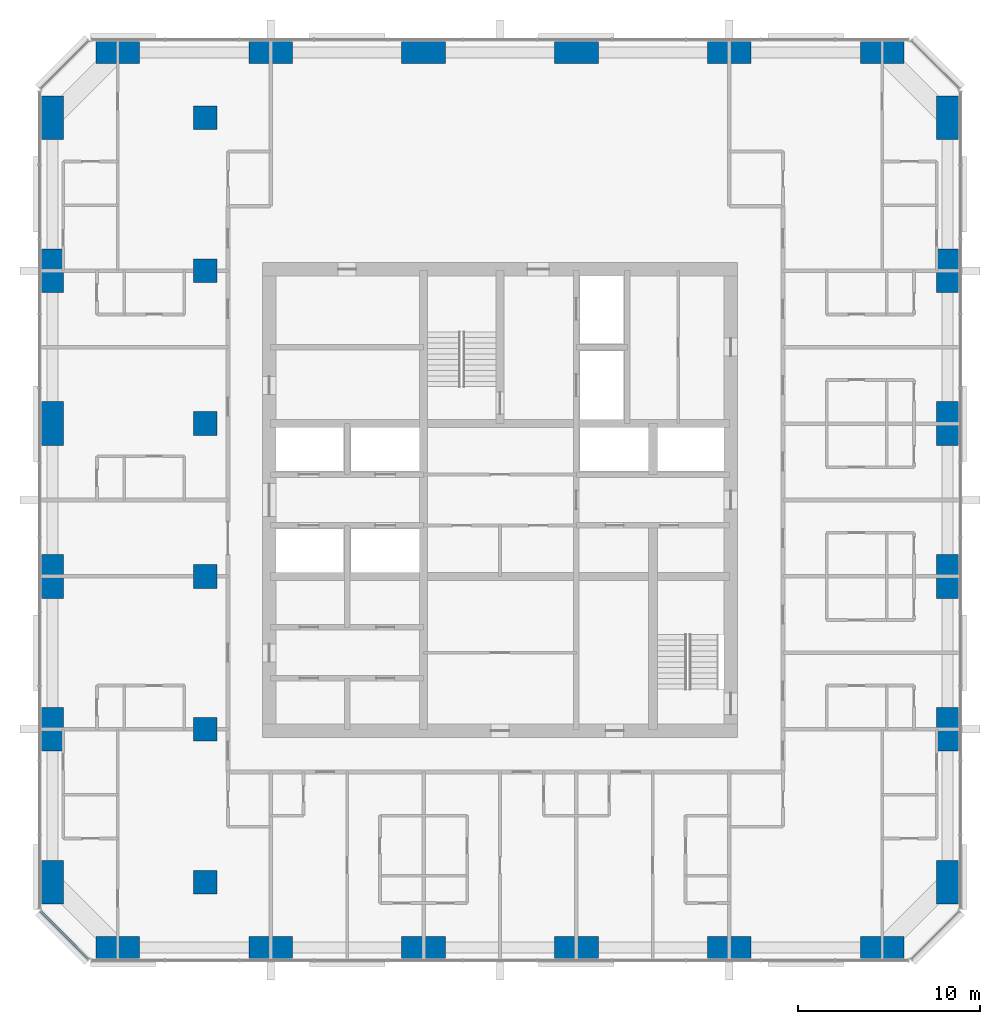
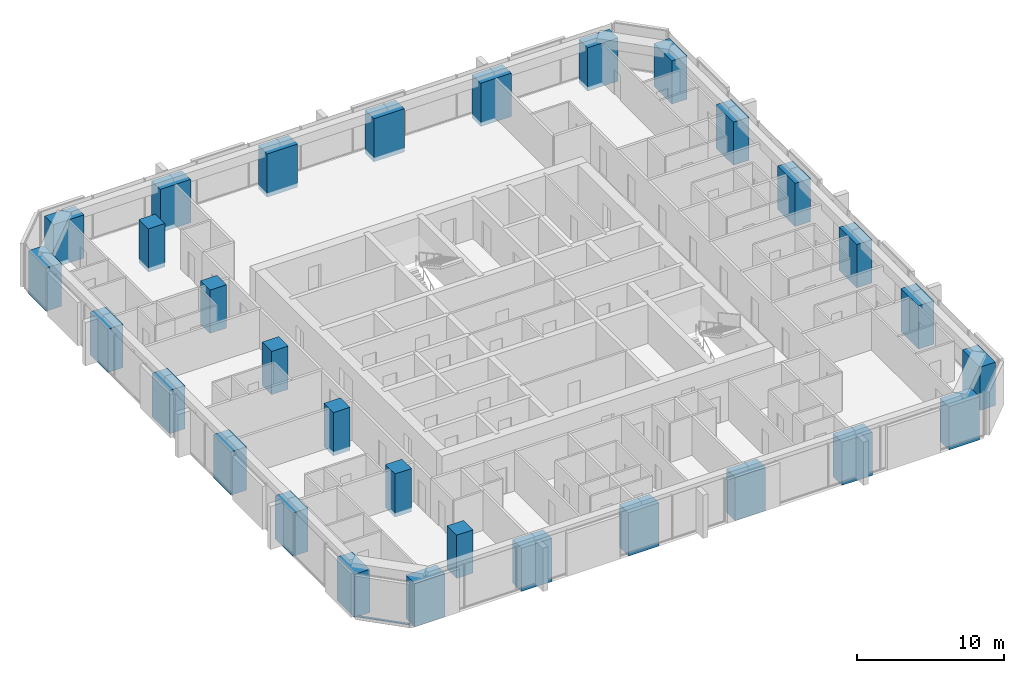
# One storey, part 1 of 14: 30 columns, 1 member, 1 element without a shape of its own.
"""IFC4 building model written with IfcOpenShell, lengths in metres."""

import ifcopenshell
import ifcopenshell.guid

model = None  # the IFC model being written
_history = None  # IfcOwnerHistory: only IFC2X3 demands one
_inside = {}  # id of a spatial element -> (the spatial element, [elements in it])
_under = {}  # id of a project, library or spatial element -> (it, [spatial elements below it])
_declared = {}  # id of a project -> (the project, [libraries it declares])
_typed = {}  # id of a type object -> (the type object, [elements of that type])
_made_of = {}  # id of a material, layer set ... -> (it, [elements and type objects made of it])


def new_model(schema):
    """Start an empty IFC model of exactly this schema.

    Asked for "IFC4X3", IfcOpenShell would pick the latest addendum, in which some entities
    have other attributes; the version numbers below select the first issue.
    IFC2X3 requires an IfcOwnerHistory on every rooted entity: one is made here for all.
    """
    global model, _history
    if schema == "IFC4X3":
        model = ifcopenshell.file(schema_version=(4, 3, 0, 0))
    else:
        model = ifcopenshell.file(schema=schema)
    _inside.clear()
    _under.clear()
    _declared.clear()
    _typed.clear()
    _made_of.clear()
    _history = None
    if model.schema == "IFC2X3":
        org = make("IfcOrganization", Name="unknown")
        user = make(
            "IfcPersonAndOrganization",
            ThePerson=make("IfcPerson", FamilyName="unknown"),
            TheOrganization=org,
        )
        app = make(
            "IfcApplication",
            ApplicationDeveloper=org,
            Version="unknown",
            ApplicationFullName="unknown",
            ApplicationIdentifier="unknown",
        )
        _history = make(
            "IfcOwnerHistory",
            OwningUser=user,
            OwningApplication=app,
            ChangeAction="ADDED",
            CreationDate=0,
        )
    return model


def make(cls, **values):
    """One entity of the class cls with the attributes given. An attribute that is None is left unset."""
    return model.create_entity(
        cls, **{name: value for name, value in values.items() if value is not None}
    )


def rooted(cls, **values):
    """An entity with a GlobalId (a new one), such as an element, a storey or a relation."""
    return make(cls, GlobalId=ifcopenshell.guid.new(), OwnerHistory=_history, **values)


def si_unit(unit_type, name, prefix=None):
    """IfcSIUnit, for example si_unit("LENGTHUNIT", "METRE", prefix="MILLI")."""
    return make("IfcSIUnit", UnitType=unit_type, Prefix=prefix, Name=name)


def assignment(units):
    """IfcUnitAssignment: the units of a project."""
    return None if units is None else make("IfcUnitAssignment", Units=units)


def point(xyz):
    """IfcCartesianPoint."""
    return None if xyz is None else make("IfcCartesianPoint", Coordinates=xyz)


def direction(xyz):
    """IfcDirection."""
    return None if xyz is None else make("IfcDirection", DirectionRatios=xyz)


def frame(location, z_axis=None, x_axis=None):
    """IfcAxis2Placement3D, a coordinate frame: its origin and axes. An axis left out is left unset."""
    return make(
        "IfcAxis2Placement3D",
        Location=point(location),
        Axis=direction(z_axis),
        RefDirection=direction(x_axis),
    )


def frame_2d(location, x_axis=None):
    """IfcAxis2Placement2D, a coordinate frame in the plane: its origin and x axis."""
    return make(
        "IfcAxis2Placement2D", Location=point(location), RefDirection=direction(x_axis)
    )


def origin():
    """The frame at (0, 0, 0) with its axes left unset."""
    return frame((0.0, 0.0, 0.0))


def origin_2d():
    """The frame at (0, 0) in the plane with its x axis left unset."""
    return frame_2d((0.0, 0.0))


def place(relative_to, where):
    """IfcLocalPlacement: puts the frame where relative to a parent placement (None: the world)."""
    return make(
        "IfcLocalPlacement", PlacementRelTo=relative_to, RelativePlacement=where
    )


def context(
    kind, dimensions, precision=None, world=None, true_north=None, identifier=None
):
    """IfcGeometricRepresentationContext, for example the 3D "Model" context."""
    return make(
        "IfcGeometricRepresentationContext",
        ContextIdentifier=identifier,
        ContextType=kind,
        CoordinateSpaceDimension=dimensions,
        Precision=precision,
        WorldCoordinateSystem=world,
        TrueNorth=true_north,
    )


def subcontext(parent, identifier, kind, view, scale=None):
    """IfcGeometricRepresentationSubContext, for example "Body" below "Model"."""
    return make(
        "IfcGeometricRepresentationSubContext",
        ContextIdentifier=identifier,
        ContextType=kind,
        ParentContext=parent,
        TargetScale=scale,
        TargetView=view,
    )


def project(units=None, contexts=None):
    """IfcProject with its units and contexts."""
    return rooted(
        "IfcProject",
        Name="project",
        RepresentationContexts=contexts,
        UnitsInContext=assignment(units),
    )


def spatial(cls, under=None, at=None, **own):
    """A site, building, storey or space (cls), placed at a placement, below another one or the project."""
    s = rooted(cls, ObjectPlacement=at, **own)
    if under is not None:
        _under.setdefault(under.id(), (under, []))[1].append(s)
    return s


def profile(cls, at=None, kind="AREA", **sizes):
    """A parametric profile (cls). Its sizes go by their IFC names, for example OverallWidth=200.0."""
    return make(cls, ProfileType=kind, Position=at, **sizes)


def rectangle(**sizes):
    """IfcRectangleProfileDef."""
    return profile("IfcRectangleProfileDef", **sizes)


def extrude(swept, where, along, depth):
    """IfcExtrudedAreaSolid: the profile swept, set in the frame where, extruded along a direction by depth."""
    return make(
        "IfcExtrudedAreaSolid",
        SweptArea=swept,
        Position=where,
        ExtrudedDirection=direction(along),
        Depth=depth,
    )


def shape(context_of_items, identifier, shape_type, items):
    """IfcShapeRepresentation: the items that make up one representation, for example the "Body"."""
    return make(
        "IfcShapeRepresentation",
        ContextOfItems=context_of_items,
        RepresentationIdentifier=identifier,
        RepresentationType=shape_type,
        Items=items,
    )


def material(Name=None, Category=None):
    """IfcMaterial."""
    return make("IfcMaterial", Name=Name, Category=Category)


def material_profile(
    of_material, cross_section, Name=None, Category=None, Priority=None
):
    """IfcMaterialProfile: a cross section and its material."""
    return make(
        "IfcMaterialProfile",
        Name=Name,
        Material=of_material,
        Profile=cross_section,
        Priority=Priority,
        Category=Category,
    )


def profile_set(profiles, Name=None, composite=None):
    """IfcMaterialProfileSet."""
    return make(
        "IfcMaterialProfileSet",
        Name=Name,
        MaterialProfiles=profiles,
        CompositeProfile=composite,
    )


def made_of(thing, what):
    """Note that an element or type object is made of a material, layer set ...; save() writes the relation."""
    if what is not None:
        _made_of.setdefault(what.id(), (what, []))[1].append(thing)
    return thing


def type_object(cls, material=None, **own):
    """A type object (cls), such as IfcWallType, which elements share."""
    return made_of(rooted(cls, **own), material)


def element(
    cls,
    number,
    at=None,
    inside=None,
    cuts=None,
    type_object=None,
    material=None,
    context=None,
    identifier="Body",
    shape_type=None,
    held_by="IfcProductDefinitionShape",
    body=None,
    shapes=None,
    **own,
):
    """One element of the class cls, such as IfcWall. Its Tag is "e" and its number.

    at: its placement. inside: the storey or other place that contains it. cuts: it is an
    opening in that element (IfcRelVoidsElement). A single representation is given by context,
    identifier, shape_type and body (its items); several are given by shapes. held_by: the class
    of the entity that holds the representations. save() writes the other relations.
    """
    e = rooted(cls, Tag="e%d" % number, ObjectPlacement=at, **own)
    if body is not None:
        shapes = [shape(context, identifier, shape_type, body)]
    if shapes is not None:
        e.Representation = make(held_by, Representations=shapes)
    if inside is not None:
        _inside.setdefault(inside.id(), (inside, []))[1].append(e)
    if cuts is not None:
        rooted(
            "IfcRelVoidsElement", RelatingBuildingElement=cuts, RelatedOpeningElement=e
        )
    if type_object is not None:
        _typed.setdefault(type_object.id(), (type_object, []))[1].append(e)
    return made_of(e, material)


def aggregate(whole, parts):
    """IfcRelAggregates: a whole, such as a stair, and the parts it consists of."""
    return rooted("IfcRelAggregates", RelatingObject=whole, RelatedObjects=parts)


def save(model, path):
    """Write the relations noted so far, then the file.

    IfcRelAggregates (storeys below a building ...), IfcRelContainedInSpatialStructure (elements
    in a storey), IfcRelDefinesByType, IfcRelAssociatesMaterial and IfcRelDeclares: one each for
    every whole, place, type object, material and project.
    """
    for whole, parts in _under.values():
        aggregate(whole, parts)
    for where, things in _inside.values():
        rooted(
            "IfcRelContainedInSpatialStructure",
            RelatedElements=things,
            RelatingStructure=where,
        )
    for kind, things in _typed.values():
        rooted("IfcRelDefinesByType", RelatedObjects=things, RelatingType=kind)
    for what, things in _made_of.values():
        rooted("IfcRelAssociatesMaterial", RelatedObjects=things, RelatingMaterial=what)
    for by, libraries in _declared.values():
        rooted("IfcRelDeclares", RelatingContext=by, RelatedDefinitions=libraries)
    model.write(path)


model = new_model("IFC4")

# Units and contexts
model_context = context("Model", 3, precision=1e-05, world=origin(), true_north=direction((0.0, 1.0)))
body_context = subcontext(model_context, "Body", "Model", "MODEL_VIEW")
ifc_project = project(units=[si_unit("LENGTHUNIT", "METRE"), si_unit("AREAUNIT", "SQUARE_METRE"), si_unit("VOLUMEUNIT", "CUBIC_METRE"), si_unit("PLANEANGLEUNIT", "RADIAN"), si_unit("MASSUNIT", "GRAM", prefix="KILO")], contexts=[model_context])

# Site, building, storey
site_placement = place(None, origin())
site = spatial("IfcSite", under=ifc_project, at=site_placement, CompositionType="ELEMENT")
building_placement = place(site_placement, origin())
building = spatial("IfcBuilding", under=site, at=building_placement, Name="Dunama Terrace Hotel", CompositionType="ELEMENT")
storey_placement = place(building_placement, frame((0.0, 0.0, 177.0)))
storey = spatial("IfcBuildingStorey", under=building, at=storey_placement, Name="L45", CompositionType="ELEMENT", Elevation=177.0)

# Columns
ifc_material_1 = material(Name="Concrete C60/75", Category="concrete")
ifc_material_profile_1 = material_profile(ifc_material_1, rectangle(XDim=1.199951171875, YDim=2.39990234375, at=origin_2d()), Name="RC 1200x2400")
ifc_profile_set_1 = profile_set([ifc_material_profile_1], Name="Concrete C60/75")
column_type_1 = type_object("IfcColumnType", Name="Column RC 1200x2400", PredefinedType="COLUMN", material=ifc_profile_set_1)
for number, where, z_axis, x_axis, name in (
    (1, (4.800048828125, 8.39990234375, -0.35009765625), (0.0, 0.0, 1.0), (1.0, 0.0, 0.0), "Column L45 +4.8/+8.4"),
    (2, (4.800048828125, 16.800048828125, -0.35009765625), (0.0, 0.0, 1.0), (1.0, 0.0, 0.0), "Column L45 +4.8/+16.8"),
    (3, (4.800048828125, 25.199951171875, -0.35009765625), (0.0, 0.0, 1.0), (1.0, 0.0, 0.0), "Column L45 +4.8/+25.2"),
    (4, (4.800048828125, 33.60009765625, -0.35009765625), (0.0, 0.0, 1.0), (1.0, 0.0, 0.0), "Column L45 +4.8/+33.6"),
    (5, (4.800048828125, 42.0, -0.35009765625), (0.0, 0.0, 1.0), (1.0, 0.0, 0.0), "Column L45 +4.8/+42.0"),
    (6, (4.800048828125, 50.39990234375, -0.35009765625), (0.0, 0.0, 1.0), (1.0, 0.0, 0.0), "Column L45 +4.8/+50.4"),
    (7, (54.0, 8.39990234375, -0.35009765625), (0.0, 0.0, 1.0), (1.0, 0.0, 0.0), "Column L45 +54.0/+8.4"),
    (8, (54.0, 16.800048828125, -0.35009765625), (0.0, 0.0, 1.0), (1.0, 0.0, 0.0), "Column L45 +54.0/+16.8"),
    (9, (54.0, 25.199951171875, -0.35009765625), (0.0, 0.0, 1.0), (1.0, 0.0, 0.0), "Column L45 +54.0/+25.2"),
    (10, (54.0, 33.60009765625, -0.35009765625), (0.0, 0.0, 1.0), (1.0, 0.0, 0.0), "Column L45 +54.0/+33.6"),
    (11, (54.0, 42.0, -0.35009765625), (0.0, 0.0, 1.0), (1.0, 0.0, 0.0), "Column L45 +54.0/+42.0"),
    (12, (54.0, 50.39990234375, -0.35009765625), (0.0, 0.0, 1.0), (1.0, 0.0, 0.0), "Column L45 +54.0/+50.4"),
):
    element("IfcColumn", number, at=place(storey_placement, frame(where, z_axis=z_axis, x_axis=x_axis)), inside=storey, type_object=column_type_1, Name=name, PredefinedType="COLUMN", context=body_context, shape_type="SweptSolid", body=[
        extrude(rectangle(XDim=1.199951171875, YDim=2.39990234375, at=origin_2d()), origin(), (0.0, 0.0, 1.0), 3.60009765625),
    ])
ifc_material_2 = material(Name="Concrete C60/75", Category="concrete")
ifc_material_profile_2 = material_profile(ifc_material_2, rectangle(XDim=1.300048828125, YDim=1.300048828125, at=origin_2d()), Name="RC 1300x1300")
ifc_profile_set_2 = profile_set([ifc_material_profile_2], Name="Concrete C60/75")
column_type_2 = type_object("IfcColumnType", Name="Column RC 1300x1300", PredefinedType="COLUMN", material=ifc_profile_set_2)
for number, where, z_axis, x_axis, name in (
    (13, (13.199951171875, 8.39990234375, -0.35009765625), (0.0, 0.0, 1.0), (1.0, 0.0, 0.0), "Column L45 +13.2/+8.4"),
    (14, (13.199951171875, 16.800048828125, -0.35009765625), (0.0, 0.0, 1.0), (1.0, 0.0, 0.0), "Column L45 +13.2/+16.8"),
    (15, (13.199951171875, 25.199951171875, -0.35009765625), (0.0, 0.0, 1.0), (1.0, 0.0, 0.0), "Column L45 +13.2/+25.2"),
    (16, (13.199951171875, 33.60009765625, -0.35009765625), (0.0, 0.0, 1.0), (1.0, 0.0, 0.0), "Column L45 +13.2/+33.6"),
    (17, (13.199951171875, 42.0, -0.35009765625), (0.0, 0.0, 1.0), (1.0, 0.0, 0.0), "Column L45 +13.2/+42.0"),
    (18, (13.199951171875, 50.39990234375, -0.35009765625), (0.0, 0.0, 1.0), (1.0, 0.0, 0.0), "Column L45 +13.2/+50.4"),
):
    element("IfcColumn", number, at=place(storey_placement, frame(where, z_axis=z_axis, x_axis=x_axis)), inside=storey, type_object=column_type_2, Name=name, PredefinedType="COLUMN", context=body_context, shape_type="SweptSolid", body=[
        extrude(rectangle(XDim=1.300048828125, YDim=1.300048828125, at=origin_2d()), origin(), (0.0, 0.0, 1.0), 3.60009765625),
    ])
ifc_material_3 = material(Name="Concrete C60/75", Category="concrete")
ifc_material_profile_3 = material_profile(ifc_material_3, rectangle(XDim=2.39990234375, YDim=1.199951171875, at=origin_2d()), Name="RC 2400x1200")
ifc_profile_set_3 = profile_set([ifc_material_profile_3], Name="Concrete C60/75")
column_type_3 = type_object("IfcColumnType", Name="Column RC 2400x1200", PredefinedType="COLUMN", material=ifc_profile_set_3)
for number, where, z_axis, x_axis, name in (
    (19, (8.39990234375, 4.800048828125, -0.35009765625), (0.0, 0.0, 1.0), (1.0, 0.0, 0.0), "Column L45 +8.4/+4.8"),
    (20, (8.39990234375, 54.0, -0.35009765625), (0.0, 0.0, 1.0), (1.0, 0.0, 0.0), "Column L45 +8.4/+54.0"),
    (21, (16.800048828125, 4.800048828125, -0.35009765625), (0.0, 0.0, 1.0), (1.0, 0.0, 0.0), "Column L45 +16.8/+4.8"),
    (22, (16.800048828125, 54.0, -0.35009765625), (0.0, 0.0, 1.0), (1.0, 0.0, 0.0), "Column L45 +16.8/+54.0"),
    (23, (25.199951171875, 4.800048828125, -0.35009765625), (0.0, 0.0, 1.0), (1.0, 0.0, 0.0), "Column L45 +25.2/+4.8"),
    (24, (25.199951171875, 54.0, -0.35009765625), (0.0, 0.0, 1.0), (1.0, 0.0, 0.0), "Column L45 +25.2/+54.0"),
    (25, (33.60009765625, 4.800048828125, -0.35009765625), (0.0, 0.0, 1.0), (1.0, 0.0, 0.0), "Column L45 +33.6/+4.8"),
    (26, (33.60009765625, 54.0, -0.35009765625), (0.0, 0.0, 1.0), (1.0, 0.0, 0.0), "Column L45 +33.6/+54.0"),
    (27, (42.0, 4.800048828125, -0.35009765625), (0.0, 0.0, 1.0), (1.0, 0.0, 0.0), "Column L45 +42.0/+4.8"),
    (28, (42.0, 54.0, -0.35009765625), (0.0, 0.0, 1.0), (1.0, 0.0, 0.0), "Column L45 +42.0/+54.0"),
    (29, (50.39990234375, 4.800048828125, -0.35009765625), (0.0, 0.0, 1.0), (1.0, 0.0, 0.0), "Column L45 +50.4/+4.8"),
    (30, (50.39990234375, 54.0, -0.35009765625), (0.0, 0.0, 1.0), (1.0, 0.0, 0.0), "Column L45 +50.4/+54.0"),
):
    element("IfcColumn", number, at=place(storey_placement, frame(where, z_axis=z_axis, x_axis=x_axis)), inside=storey, type_object=column_type_3, Name=name, PredefinedType="COLUMN", context=body_context, shape_type="SweptSolid", body=[
        extrude(rectangle(XDim=2.39990234375, YDim=1.199951171875, at=origin_2d()), origin(), (0.0, 0.0, 1.0), 3.60009765625),
    ])

# Curtain wall, member
ifc_material_4 = material(Name="Aluminium curtain wall system", Category="aluminium")
curtain_wall_type = type_object("IfcCurtainWallType", Name="Unitised fritted glass wall CW-C", PredefinedType="NOTDEFINED", material=ifc_material_4)
curtain_wall_placement = place(storey_placement, origin())
curtain_wall = element("IfcCurtainWall", 31, at=curtain_wall_placement, inside=storey, type_object=curtain_wall_type, Name="Unitised fritted glass wall CW-C L45", PredefinedType="NOTDEFINED")
ifc_material_5 = material(Name="Aluminium transom", Category="aluminium")
ifc_material_profile_4 = material_profile(ifc_material_5, rectangle(XDim=0.159912109375, YDim=0.080078125, at=origin_2d()), Name="CWC TRANSOM 160X80")
ifc_profile_set_4 = profile_set([ifc_material_profile_4], Name="Aluminium transom")
member_type = type_object("IfcMemberType", Name="CWC transom 160x80", PredefinedType="USERDEFINED", material=ifc_profile_set_4)
member_placement = place(storey_placement, frame((4.178955078125, 6.780029296875, 0.0400390625), z_axis=(0.707106781187, -0.707106781187, 0.0), x_axis=(0.707106781187, 0.707106781187, 0.0)))
member = element("IfcMember", 32, at=member_placement, type_object=member_type, Name="CWC transom", ObjectType="TRANSOM", PredefinedType="USERDEFINED", context=body_context, shape_type="SweptSolid", body=[
    extrude(rectangle(XDim=0.159912109375, YDim=0.080078125, at=origin_2d()), origin(), (0.0, 0.0, 1.0), 3.678466796875),
])
aggregate(curtain_wall, [member])

save(model, "model.ifc")
